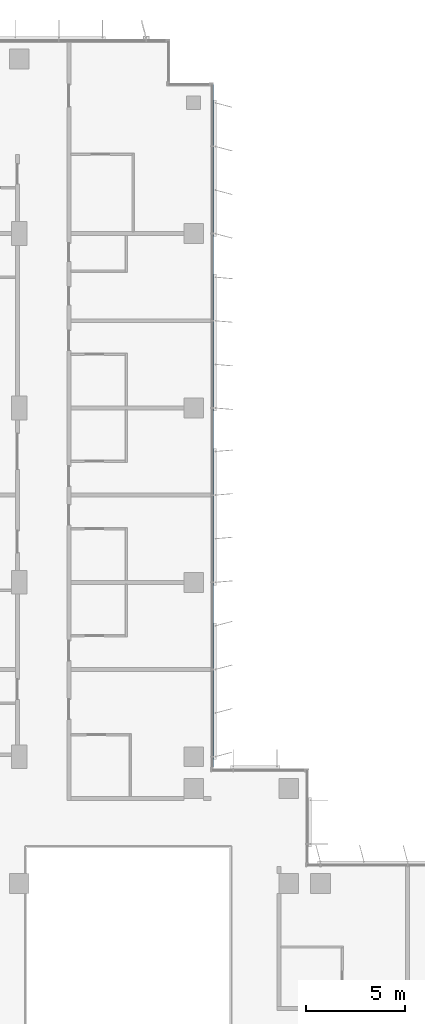
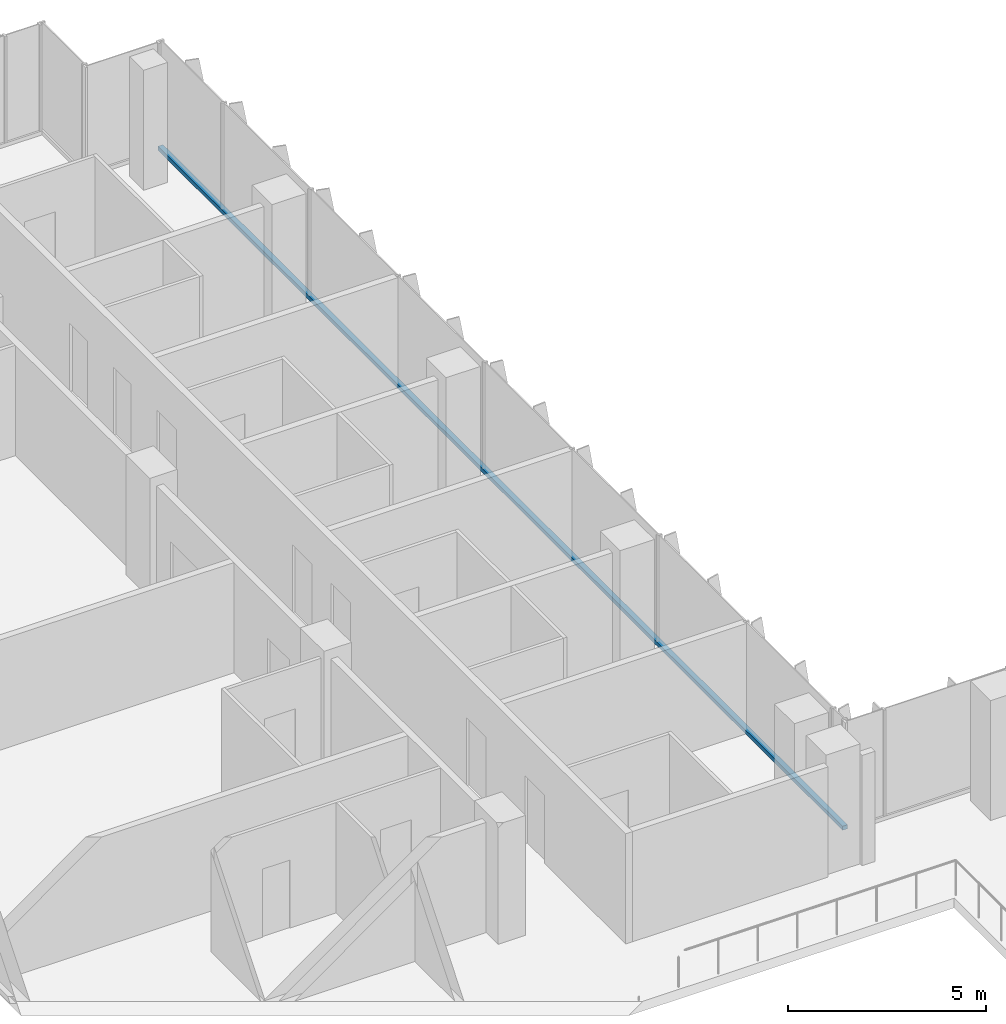
# One storey, part 6 of 21: 1 member, 1 element without a shape of its own.
"""IFC4 building model written with IfcOpenShell, lengths in metres."""

from ifc_helpers import new_model, si_unit, direction, frame, origin, origin_2d, place, context, subcontext, project, spatial, rectangle, extrude, material, material_profile, profile_set, type_object, element, aggregate, save


model = new_model("IFC4")

# Units and contexts
model_context = context("Model", 3, precision=1e-05, world=origin(), true_north=direction((0.0, 1.0)))
body_context = subcontext(model_context, "Body", "Model", "MODEL_VIEW")
ifc_project = project(units=[si_unit("LENGTHUNIT", "METRE"), si_unit("AREAUNIT", "SQUARE_METRE"), si_unit("VOLUMEUNIT", "CUBIC_METRE"), si_unit("PLANEANGLEUNIT", "RADIAN"), si_unit("MASSUNIT", "GRAM", prefix="KILO")], contexts=[model_context])

# Site, building, storey
site_placement = place(None, origin())
site = spatial("IfcSite", under=ifc_project, at=site_placement, CompositionType="ELEMENT")
building_placement = place(site_placement, origin())
building = spatial("IfcBuilding", under=site, at=building_placement, Name="Kemantara Hotel Tower", CompositionType="ELEMENT")
storey_placement = place(building_placement, frame((0.0, 0.0, 215.39990234375)))
storey = spatial("IfcBuildingStorey", under=building, at=storey_placement, Name="L53", CompositionType="ELEMENT", Elevation=215.39990234375)

# Curtain wall, member
ifc_material_1 = material(Name="Low-E tinted double insulated glass 36 mm", Category="glass")
curtain_wall_type = type_object("IfcCurtainWallType", Name="TOWER CURTAIN WALL, FRONT FACES", PredefinedType="USERDEFINED", material=ifc_material_1)
curtain_wall_placement = place(storey_placement, origin())
curtain_wall = element("IfcCurtainWall", 1, at=curtain_wall_placement, inside=storey, type_object=curtain_wall_type, Name="CW4 L53 T3-R17-1", ObjectType="TOWER CURTAIN WALL, FRONT FACES", PredefinedType="USERDEFINED")
ifc_material_2 = material(Name="Aluminium 6063-T6 bronze anodised", Category="aluminium")
ifc_material_profile = material_profile(ifc_material_2, rectangle(XDim=0.14990234375, YDim=0.1201171875, at=origin_2d()), Name="TOWER CURTAIN WALL, FRONT FACES TRANSOM")
ifc_profile_set = profile_set([ifc_material_profile], Name="Aluminium 6063-T6 bronze anodised")
member_type = type_object("IfcMemberType", Name="TOWER CURTAIN WALL, FRONT FACES TRANSOM", PredefinedType="USERDEFINED", material=ifc_profile_set)
member_placement = place(storey_placement, frame((21.925048828125, 26.800048828125, 0.06005859375), z_axis=(0.0, 1.0, 0.0), x_axis=(-1.0, 0.0, 0.0)))
member = element("IfcMember", 2, at=member_placement, type_object=member_type, Name="CW4 sill transom T3-R17-1", ObjectType="TRANSOM", PredefinedType="USERDEFINED", context=body_context, shape_type="SweptSolid", body=[
    extrude(rectangle(XDim=0.14990234375, YDim=0.1201171875, at=origin_2d()), origin(), (0.0, 0.0, 1.0), 34.599853515625),
])
aggregate(curtain_wall, [member])

save(model, "model.ifc")
